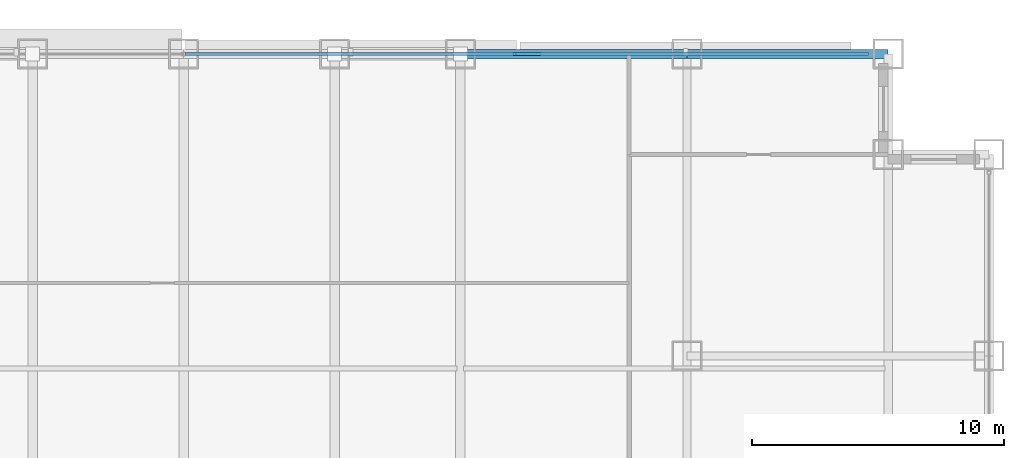
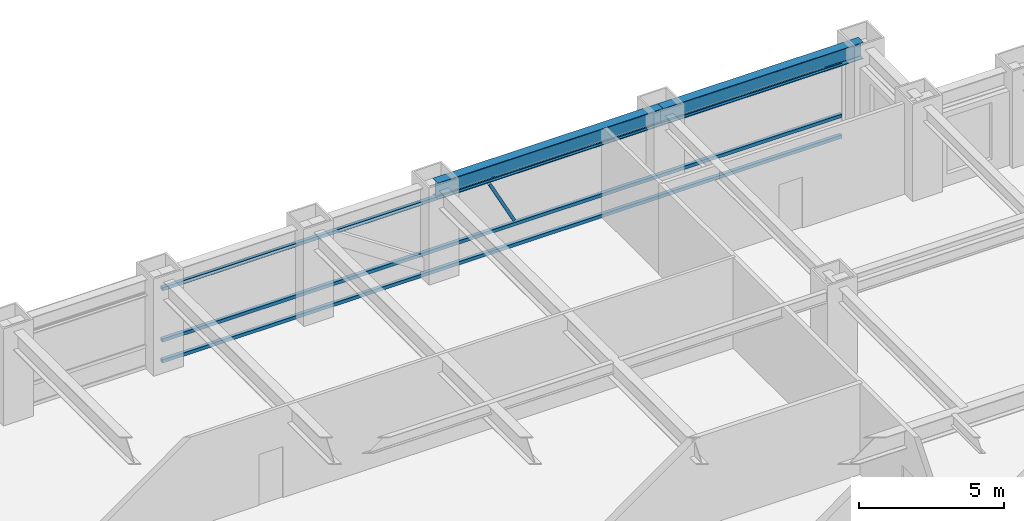
# One storey, part 20 of 32: 4 members, 2 beams, 1 element without a shape of its own.
"""IFC4 building model written with IfcOpenShell, lengths in metres."""

from ifc_helpers import new_model, si_unit, direction, frame, origin, origin_2d, place, context, subcontext, project, spatial, hollow_rectangle, i_section, extrude, source, transform, mapped, material, material_profile, profile_set, type_object, element, aggregate, save


model = new_model("IFC4")

# Units and contexts
model_context = context("Model", 3, precision=1e-05, world=origin(), true_north=direction((0.0, 1.0)))
body_context = subcontext(model_context, "Body", "Model", "MODEL_VIEW")
ifc_project = project(units=[si_unit("LENGTHUNIT", "METRE"), si_unit("AREAUNIT", "SQUARE_METRE"), si_unit("VOLUMEUNIT", "CUBIC_METRE"), si_unit("PLANEANGLEUNIT", "RADIAN"), si_unit("MASSUNIT", "GRAM", prefix="KILO")], contexts=[model_context])

# Site, building, storey
site_placement = place(None, origin())
site = spatial("IfcSite", under=ifc_project, at=site_placement, CompositionType="ELEMENT")
building_placement = place(site_placement, origin())
building = spatial("IfcBuilding", under=site, at=building_placement, Name="Khorayat Bourse Tower", CompositionType="ELEMENT")
storey_placement = place(building_placement, frame((0.0, 0.0, 99.60009765625)))
storey = spatial("IfcBuildingStorey", under=building, at=storey_placement, Name="L22", CompositionType="ELEMENT", Elevation=99.60009765625)

# Beams
ifc_material_1 = material(Name="Steel ASTM A992 Grade 50", Category="steel")
ifc_material_profile_1 = material_profile(ifc_material_1, i_section(OverallWidth=0.35498046875, OverallDepth=0.695068359375, WebThickness=0.015380859375, FlangeThickness=0.02490234375, FilletRadius=0.01806640625, at=origin_2d()), Name="W690X217")
ifc_profile_set_1 = profile_set([ifc_material_profile_1], Name="Steel ASTM A992 Grade 50")
beam_type = type_object("IfcBeamType", Name="BM-SPAN-690", PredefinedType="SPANDREL", material=ifc_profile_set_1)
shared_shape_1 = source(origin(), body_context, "Body", "SweptSolid", [
    extrude(i_section(OverallWidth=0.35498046875, OverallDepth=0.695068359375, WebThickness=0.015380859375, FlangeThickness=0.02490234375, FilletRadius=0.01806640625, at=origin_2d()), origin(), (0.0, 0.0, 1.0), 9.0),
])
beam_1_placement = place(storey_placement, frame((11.0, 32.0, 3.492431640625), z_axis=(1.0, 0.0, 0.0), x_axis=(0.0, 1.0, 0.0)))
element("IfcBeam", 1, at=beam_1_placement, inside=storey, type_object=beam_type, Name="L22 BM-SPAN-690 BM-L22-SPN-045", PredefinedType="SPANDREL", context=body_context, shape_type="MappedRepresentation", body=[
    mapped(shared_shape_1, transform((0.0, 0.0, 0.0), scale=1.0)),
])
shared_shape_2 = source(origin(), body_context, "Body", "SweptSolid", [
    extrude(i_section(OverallWidth=0.35498046875, OverallDepth=0.695068359375, WebThickness=0.015380859375, FlangeThickness=0.02490234375, FilletRadius=0.01806640625, at=origin_2d()), origin(), (0.0, 0.0, 1.0), 8.0),
])
beam_2_placement = place(storey_placement, frame((20.0, 32.0, 3.492431640625), z_axis=(1.0, 0.0, 0.0), x_axis=(0.0, 1.0, 0.0)))
element("IfcBeam", 2, at=beam_2_placement, inside=storey, type_object=beam_type, Name="L22 BM-SPAN-690 BM-L22-SPN-044", PredefinedType="SPANDREL", context=body_context, shape_type="MappedRepresentation", body=[
    mapped(shared_shape_2, transform((0.0, 0.0, 0.0), scale=1.0)),
])

# Curtain wall, members
ifc_material_2 = material(Name="Aluminium EN AW-6063 T6", Category="aluminium")
curtain_wall_type = type_object("IfcCurtainWallType", Name="CW-SYS-02", PredefinedType="NOTDEFINED", material=ifc_material_2)
curtain_wall_placement = place(storey_placement, origin())
curtain_wall = element("IfcCurtainWall", 3, at=curtain_wall_placement, inside=storey, type_object=curtain_wall_type, Name="L22 Curtain Wall CW-L22-N1", PredefinedType="NOTDEFINED")
ifc_material_profile_2 = material_profile(ifc_material_2, hollow_rectangle(XDim=0.139892578125, YDim=0.139892578125, WallThickness=0.006103515625, at=origin_2d()), Name="ALU 140x140x6")
ifc_profile_set_2 = profile_set([ifc_material_profile_2], Name="Aluminium EN AW-6063 T6")
member_type_1 = type_object("IfcMemberType", Name="CWT-HORZ-140", PredefinedType="USERDEFINED", material=ifc_profile_set_2)
shared_shape_3 = source(origin(), body_context, "Body", "SweptSolid", [
    extrude(hollow_rectangle(XDim=0.139892578125, YDim=0.139892578125, WallThickness=0.006103515625, at=origin_2d()), origin(), (0.0, 0.0, 1.0), 27.139892578125),
])
member_1_placement = place(storey_placement, frame((0.070068359375, 32.0, 0.06982421875), z_axis=(1.0, 0.0, 0.0), x_axis=(0.0, 1.0, 0.0)))
member_1 = element("IfcMember", 4, at=member_1_placement, type_object=member_type_1, Name="CW-L22-N1 Horizontal Transom 2-1", ObjectType="TRANSOM", PredefinedType="USERDEFINED", context=body_context, shape_type="MappedRepresentation", body=[
    mapped(shared_shape_3, transform((0.0, 0.0, 0.0), scale=1.0)),
])
member_2_placement = place(storey_placement, frame((0.070068359375, 32.0, 0.949951171875), z_axis=(1.0, 0.0, 0.0), x_axis=(0.0, 1.0, 0.0)))
member_2 = element("IfcMember", 5, at=member_2_placement, type_object=member_type_1, Name="CW-L22-N1 Horizontal Transom 2-2", ObjectType="TRANSOM", PredefinedType="USERDEFINED", context=body_context, shape_type="MappedRepresentation", body=[
    mapped(shared_shape_3, transform((0.0, 0.0, 0.0), scale=1.0)),
])
member_3_placement = place(storey_placement, frame((0.070068359375, 32.0, 3.119873046875), z_axis=(1.0, 0.0, 0.0), x_axis=(0.0, 1.0, 0.0)))
member_3 = element("IfcMember", 6, at=member_3_placement, type_object=member_type_1, Name="CW-L22-N1 Horizontal Transom 2-3", ObjectType="TRANSOM", PredefinedType="USERDEFINED", context=body_context, shape_type="MappedRepresentation", body=[
    mapped(shared_shape_3, transform((0.0, 0.0, 0.0), scale=1.0)),
])
ifc_material_profile_3 = material_profile(ifc_material_2, hollow_rectangle(XDim=0.1201171875, YDim=0.1201171875, WallThickness=0.0048828125, at=origin_2d()), Name="ALU 120x120x5")
ifc_profile_set_3 = profile_set([ifc_material_profile_3], Name="Aluminium EN AW-6063 T6")
member_type_2 = type_object("IfcMemberType", Name="CWM-DIAG-120", PredefinedType="MULLION", material=ifc_profile_set_3)
shared_shape_4 = source(origin(), body_context, "Body", "SweptSolid", [
    extrude(hollow_rectangle(XDim=0.1201171875, YDim=0.1201171875, WallThickness=0.0048828125, at=origin_2d()), origin(), (0.0, 0.0, 1.0), 2.11328125),
])
member_4_placement = place(storey_placement, frame((14.132080078125, 32.0, 1.099853515625), z_axis=(-0.465694055905, 0.0, 0.884945787207), x_axis=(0.0, -1.0, 0.0)))
member_4 = element("IfcMember", 7, at=member_4_placement, type_object=member_type_2, Name="CW-L22-N1 Faceted Diagonal Mullion 2", PredefinedType="MULLION", context=body_context, shape_type="MappedRepresentation", body=[
    mapped(shared_shape_4, transform((0.0, 0.0, 0.0), scale=1.0)),
])
aggregate(curtain_wall, [member_1, member_2, member_3, member_4])

save(model, "model.ifc")
